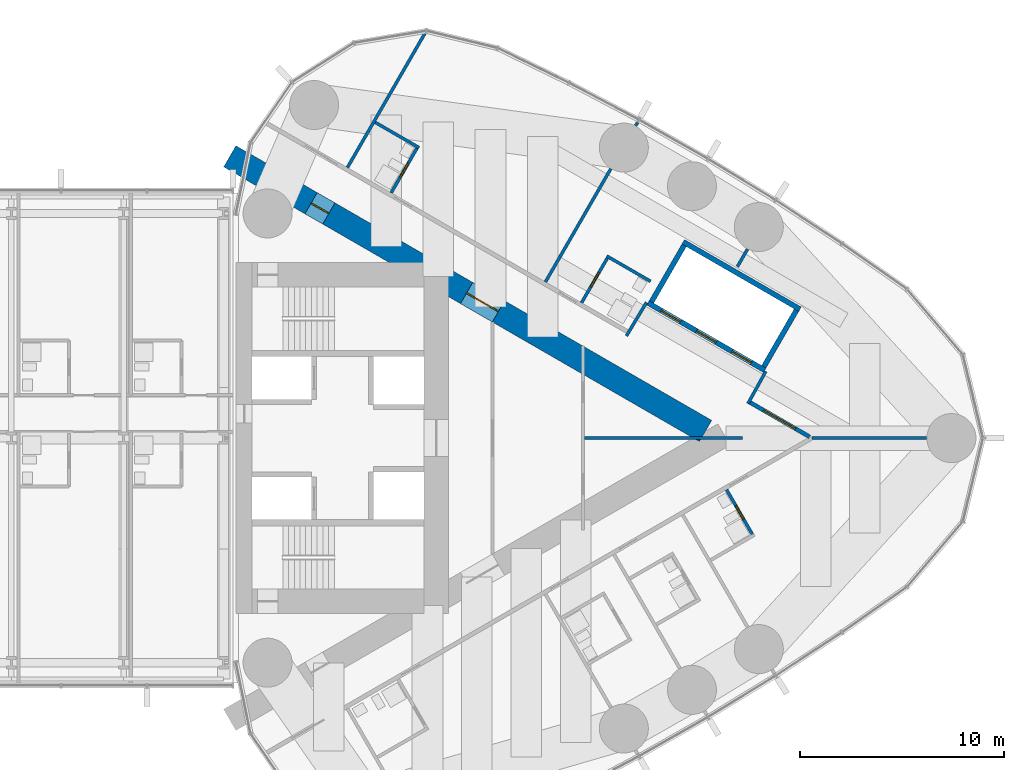
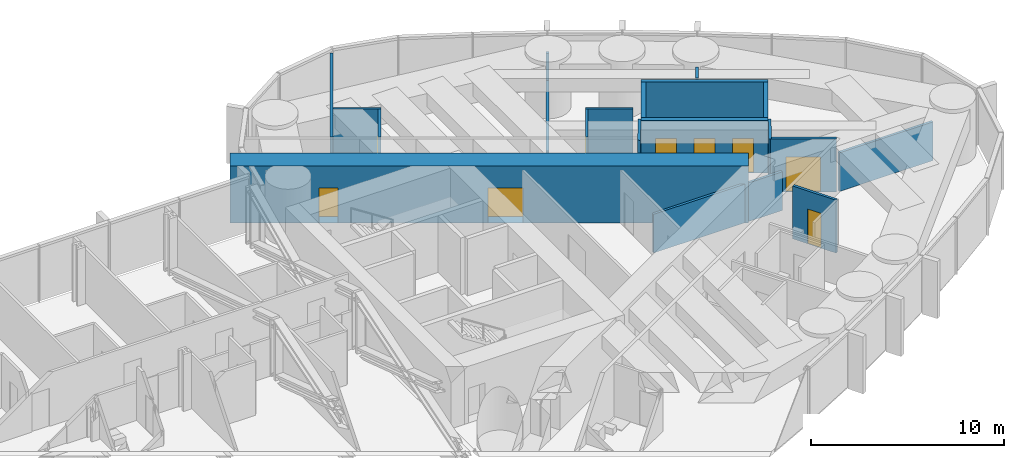
# One storey, part 20 of 23: 19 walls, 9 doors, 9 openings.
"""IFC4 building model written with IfcOpenShell, lengths in metres."""

from ifc_helpers import new_model, si_unit, direction, frame, frame_2d, origin, place, context, subcontext, project, spatial, rectangle, extrude, material, layer, layer_set, type_object, element, fill, save


model = new_model("IFC4")

# Units and contexts
model_context = context("Model", 3, precision=1e-05, world=origin(), true_north=direction((0.0, 1.0)))
body_context = subcontext(model_context, "Body", "Model", "MODEL_VIEW")
ifc_project = project(units=[si_unit("LENGTHUNIT", "METRE"), si_unit("AREAUNIT", "SQUARE_METRE"), si_unit("VOLUMEUNIT", "CUBIC_METRE"), si_unit("PLANEANGLEUNIT", "RADIAN"), si_unit("MASSUNIT", "GRAM", prefix="KILO")], contexts=[model_context])

# Site, building, storey
site_placement = place(None, origin())
site = spatial("IfcSite", under=ifc_project, at=site_placement, CompositionType="ELEMENT")
building_placement = place(site_placement, origin())
building = spatial("IfcBuilding", under=site, at=building_placement, Name="Lancet Gate Hotel", CompositionType="ELEMENT")
storey_placement = place(building_placement, frame((0.0, 0.0, 222.5)))
storey = spatial("IfcBuildingStorey", under=building, at=storey_placement, Name="L59", CompositionType="ELEMENT", Elevation=222.5)

# Wall, opening, door
ifc_material_1 = material(Name="Moisture resistant board partition")
ifc_layer_1 = layer(ifc_material_1, 0.14990234375)
ifc_layer_set_1 = layer_set([ifc_layer_1], Name="Bathroom wall 150")
wall_type_1 = type_object("IfcWallType", Name="Bathroom wall 150", PredefinedType="PARTITIONING", material=ifc_layer_set_1)
wall_1_placement = place(storey_placement, frame((51.528564453125, -2.525146484375, 0.0), z_axis=(0.0, 0.0, 1.0), x_axis=(0.500006934395, -0.866021400173, 0.0)))
wall_1 = element("IfcWall", 1, at=wall_1_placement, inside=storey, type_object=wall_type_1, Name="T2 bathroom wall 150 L59", PredefinedType="PARTITIONING", context=body_context, shape_type="SweptSolid", body=[
    extrude(rectangle(XDim=2.60009765625, YDim=0.14990234375, at=frame_2d((1.300048828125, 0.0))), origin(), (0.0, 0.0, 1.0), 3.35009765625),
])
opening_1_placement = place(wall_1_placement, frame((0.89990234375, 0.0, 0.0)))
opening_1 = element("IfcOpeningElement", 2, at=opening_1_placement, cuts=wall_1, Name="Opening 5955-B", PredefinedType="OPENING", context=body_context, shape_type="SweptSolid", body=[
    extrude(rectangle(XDim=0.800048828125, YDim=2.199951171875, at=frame_2d((0.39990234375, 1.10009765625))), frame((0.0, 0.0849609375, 0.0), z_axis=(0.0, -1.0, 0.0), x_axis=(1.0, 0.0, 0.0)), (0.0, 0.0, 1.0), 0.169921875),
])
ifc_material_2 = material(Name="Timber door set", Category="wood")
door_type_1 = type_object("IfcDoorType", Name="Bathroom door 800", OperationType="SINGLE_SWING_RIGHT", PredefinedType="DOOR", material=ifc_material_2)
door_1_placement = place(opening_1_placement, origin())
door_1 = element("IfcDoor", 3, at=door_1_placement, inside=storey, type_object=door_type_1, Name="5955-B", OperationType="SINGLE_SWING_RIGHT", OverallHeight=2.199951171875, OverallWidth=0.800048828125, PredefinedType="DOOR", context=body_context, shape_type="SweptSolid", body=[
    extrude(rectangle(XDim=0.800048828125, YDim=2.199951171875, at=frame_2d((0.39990234375, 1.10009765625))), frame((0.0, 0.02490234375, 0.0), z_axis=(0.0, -1.0, 0.0), x_axis=(1.0, 0.0, 0.0)), (0.0, 0.0, 1.0), 0.050048828125),
])
fill(opening_1, door_1)

# Wall
wall_2_placement = place(storey_placement, frame((45.662109375, 8.914306640625, 0.0), z_axis=(0.0, 0.0, 1.0), x_axis=(0.86604923931, -0.499958713387, 0.0)))
element("IfcWall", 4, at=wall_2_placement, inside=storey, type_object=wall_type_1, Name="T2 bathroom wall 150 L59", PredefinedType="PARTITIONING", context=body_context, shape_type="SweptSolid", body=[
    extrude(rectangle(XDim=2.474853515625, YDim=0.14990234375, at=frame_2d((1.2373046875, 0.0))), origin(), (0.0, 0.0, 1.0), 3.35009765625),
])

# Wall, opening, door
wall_3_placement = place(storey_placement, frame((44.427001953125, 6.625244140625, 0.0), z_axis=(0.0, 0.0, 1.0), x_axis=(0.500006934395, 0.866021400173, 0.0)))
wall_3 = element("IfcWall", 5, at=wall_3_placement, inside=storey, type_object=wall_type_1, Name="T2 bathroom wall 150 L59", PredefinedType="PARTITIONING", context=body_context, shape_type="SweptSolid", body=[
    extrude(rectangle(XDim=2.60009765625, YDim=0.14990234375, at=frame_2d((1.300048828125, 0.0))), origin(), (0.0, 0.0, 1.0), 3.35009765625),
])
opening_2_placement = place(wall_3_placement, frame((0.89990234375, 0.0, 0.0)))
opening_2 = element("IfcOpeningElement", 6, at=opening_2_placement, cuts=wall_3, Name="Opening 5958-B", PredefinedType="OPENING", context=body_context, shape_type="SweptSolid", body=[
    extrude(rectangle(XDim=0.800048828125, YDim=2.199951171875, at=frame_2d((0.39990234375, 1.10009765625))), frame((0.0, 0.0849609375, 0.0), z_axis=(0.0, -1.0, 0.0), x_axis=(1.0, 0.0, 0.0)), (0.0, 0.0, 1.0), 0.169921875),
])
door_2_placement = place(opening_2_placement, origin())
door_2 = element("IfcDoor", 7, at=door_2_placement, inside=storey, type_object=door_type_1, Name="5958-B", OperationType="SINGLE_SWING_RIGHT", OverallHeight=2.199951171875, OverallWidth=0.800048828125, PredefinedType="DOOR", context=body_context, shape_type="SweptSolid", body=[
    extrude(rectangle(XDim=0.800048828125, YDim=2.199951171875, at=frame_2d((0.39990234375, 1.10009765625))), frame((0.0, 0.02490234375, 0.0), z_axis=(0.0, -1.0, 0.0), x_axis=(1.0, 0.0, 0.0)), (0.0, 0.0, 1.0), 0.050048828125),
])
fill(opening_2, door_2)

# Wall
wall_4_placement = place(storey_placement, frame((34.324951171875, 15.4599609375, 0.0), z_axis=(0.0, 0.0, 1.0), x_axis=(0.866031185235, -0.4999899861, 0.0)))
element("IfcWall", 8, at=wall_4_placement, inside=storey, type_object=wall_type_1, Name="T2 bathroom wall 150 L59", PredefinedType="PARTITIONING", context=body_context, shape_type="SweptSolid", body=[
    extrude(rectangle(XDim=2.47509765625, YDim=0.14990234375, at=frame_2d((1.237548828125, 0.0))), origin(), (0.0, 0.0, 1.0), 3.35009765625),
])

# Wall, opening, door
wall_5_placement = place(storey_placement, frame((35.103515625, 12.00830078125, 0.0), z_axis=(0.0, 0.0, 1.0), x_axis=(0.500047596559, 0.865997922154, 0.0)))
wall_5 = element("IfcWall", 9, at=wall_5_placement, inside=storey, type_object=wall_type_1, Name="T2 bathroom wall 150 L59", PredefinedType="PARTITIONING", context=body_context, shape_type="SweptSolid", body=[
    extrude(rectangle(XDim=2.599853515625, YDim=0.14990234375, at=frame_2d((1.2998046875, 0.0))), origin(), (0.0, 0.0, 1.0), 3.35009765625),
])
opening_3_placement = place(wall_5_placement, frame((0.89990234375, 0.0, 0.0)))
opening_3 = element("IfcOpeningElement", 10, at=opening_3_placement, cuts=wall_5, Name="Opening 5959-B", PredefinedType="OPENING", context=body_context, shape_type="SweptSolid", body=[
    extrude(rectangle(XDim=0.800048828125, YDim=2.199951171875, at=frame_2d((0.39990234375, 1.10009765625))), frame((0.0, 0.0849609375, 0.0), z_axis=(0.0, -1.0, 0.0), x_axis=(1.0, 0.0, 0.0)), (0.0, 0.0, 1.0), 0.169921875),
])
door_3_placement = place(opening_3_placement, origin())
door_3 = element("IfcDoor", 11, at=door_3_placement, inside=storey, type_object=door_type_1, Name="5959-B", OperationType="SINGLE_SWING_RIGHT", OverallHeight=2.199951171875, OverallWidth=0.800048828125, PredefinedType="DOOR", context=body_context, shape_type="SweptSolid", body=[
    extrude(rectangle(XDim=0.800048828125, YDim=2.199951171875, at=frame_2d((0.39990234375, 1.10009765625))), frame((0.0, 0.02490234375, 0.0), z_axis=(0.0, -1.0, 0.0), x_axis=(1.0, 0.0, 0.0)), (0.0, 0.0, 1.0), 0.050048828125),
])
fill(opening_3, door_3)

# Wall, openings, doors
ifc_material_3 = material(Name="Concrete C70/85", Category="concrete")
ifc_layer_2 = layer(ifc_material_3, 1.199951171875)
ifc_layer_set_2 = layer_set([ifc_layer_2], Name="Buttress wall 1200")
wall_type_2 = type_object("IfcWallType", Name="Buttress wall 1200", PredefinedType="SHEAR", material=ifc_layer_set_2)
wall_6_placement = place(storey_placement, frame((27.199951171875, 13.800048828125, 0.0), z_axis=(0.0, 0.0, 1.0), x_axis=(0.866024515034, -0.500001539357, 0.0)))
wall_6 = element("IfcWall", 12, at=wall_6_placement, inside=storey, type_object=wall_type_2, Name="T2 buttress wall N L59", PredefinedType="SHEAR", context=body_context, shape_type="SweptSolid", body=[
    extrude(rectangle(XDim=26.9072265625, YDim=1.199951171875, at=frame_2d((13.45361328125, 0.0))), origin(), (0.0, 0.0, 1.0), 3.60009765625),
])
opening_4_placement = place(wall_6_placement, frame((4.60009765625, 0.0, 0.0)))
opening_4 = element("IfcOpeningElement", 13, at=opening_4_placement, cuts=wall_6, Name="Opening T2-L59-LN", PredefinedType="OPENING", context=body_context, shape_type="SweptSolid", body=[
    extrude(rectangle(XDim=1.0, YDim=2.199951171875, at=frame_2d((0.5, 1.10009765625))), frame((0.0, 0.60986328125, 0.0), z_axis=(0.0, -1.0, 0.0), x_axis=(1.0, 0.0, 0.0)), (0.0, 0.0, 1.0), 1.219970703125),
])
opening_5_placement = place(wall_6_placement, frame((13.39453125, 0.0, 0.0)))
opening_5 = element("IfcOpeningElement", 14, at=opening_5_placement, cuts=wall_6, Name="Opening T2-L59-LHN", PredefinedType="OPENING", context=body_context, shape_type="SweptSolid", body=[
    extrude(rectangle(XDim=1.800048828125, YDim=2.199951171875, at=frame_2d((0.89990234375, 1.10009765625))), frame((0.0, 0.60986328125, 0.0), z_axis=(0.0, -1.0, 0.0), x_axis=(1.0, 0.0, 0.0)), (0.0, 0.0, 1.0), 1.219970703125),
])
ifc_material_4 = material(Name="Timber door set", Category="wood")
door_type_2 = type_object("IfcDoorType", Name="Lobby double door 1800", OperationType="DOUBLE_DOOR_SINGLE_SWING", PredefinedType="DOOR", material=ifc_material_4)
door_4_placement = place(opening_5_placement, origin())
door_4 = element("IfcDoor", 15, at=door_4_placement, inside=storey, type_object=door_type_2, Name="T2-L59-LHN", OperationType="DOUBLE_DOOR_SINGLE_SWING", OverallHeight=2.199951171875, OverallWidth=1.800048828125, PredefinedType="DOOR", context=body_context, shape_type="SweptSolid", body=[
    extrude(rectangle(XDim=1.800048828125, YDim=2.199951171875, at=frame_2d((0.89990234375, 1.10009765625))), frame((0.0, 0.02490234375, 0.0), z_axis=(0.0, -1.0, 0.0), x_axis=(1.0, 0.0, 0.0)), (0.0, 0.0, 1.0), 0.050048828125),
])
fill(opening_5, door_4)
ifc_material_5 = material(Name="Timber door set", Category="wood")
door_type_3 = type_object("IfcDoorType", Name="Stair lobby door 1000", OperationType="SINGLE_SWING_LEFT", PredefinedType="DOOR", material=ifc_material_5)
door_5_placement = place(opening_4_placement, origin())
door_5 = element("IfcDoor", 16, at=door_5_placement, inside=storey, type_object=door_type_3, Name="T2-L59-LN", OperationType="SINGLE_SWING_LEFT", OverallHeight=2.199951171875, OverallWidth=1.0, PredefinedType="DOOR", context=body_context, shape_type="SweptSolid", body=[
    extrude(rectangle(XDim=1.0, YDim=2.199951171875, at=frame_2d((0.5, 1.10009765625))), frame((0.0, 0.02490234375, 0.0), z_axis=(0.0, -1.0, 0.0), x_axis=(1.0, 0.0, 0.0)), (0.0, 0.0, 1.0), 0.050048828125),
])
fill(opening_4, door_5)

# Wall, opening, door
ifc_material_6 = material(Name="Gypsum board partition")
ifc_layer_3 = layer(ifc_material_6, 0.199951171875)
ifc_layer_set_3 = layer_set([ifc_layer_3], Name="Corridor wall 200")
wall_type_3 = type_object("IfcWallType", Name="Corridor wall 200", PredefinedType="PARTITIONING", material=ifc_layer_set_3)
wall_7_placement = place(storey_placement, frame((52.63916015625, 1.7685546875, 0.0), z_axis=(0.0, 0.0, 1.0), x_axis=(0.866027340901, -0.4999966448, 0.0)))
wall_7 = element("IfcWall", 17, at=wall_7_placement, inside=storey, type_object=wall_type_3, Name="T2 corridor wall 200 L59", PredefinedType="PARTITIONING", context=body_context, shape_type="SweptSolid", body=[
    extrude(rectangle(XDim=3.4169921875, YDim=0.199951171875, at=frame_2d((1.70849609375, 0.0))), origin(), (0.0, 0.0, 1.0), 3.35009765625),
])
opening_6_placement = place(wall_7_placement, frame((0.80859375, 0.0, 0.0)))
opening_6 = element("IfcOpeningElement", 18, at=opening_6_placement, cuts=wall_7, Name="Opening T2-L59-LO1", PredefinedType="OPENING", context=body_context, shape_type="SweptSolid", body=[
    extrude(rectangle(XDim=1.800048828125, YDim=2.199951171875, at=frame_2d((0.89990234375, 1.10009765625))), frame((0.0, 0.10986328125, 0.0), z_axis=(0.0, -1.0, 0.0), x_axis=(1.0, 0.0, 0.0)), (0.0, 0.0, 1.0), 0.219970703125),
])
ifc_material_7 = material(Name="Timber door set", Category="wood")
door_type_4 = type_object("IfcDoorType", Name="Double door 1800", OperationType="DOUBLE_DOOR_SINGLE_SWING", PredefinedType="DOOR", material=ifc_material_7)
door_6_placement = place(opening_6_placement, origin())
door_6 = element("IfcDoor", 19, at=door_6_placement, inside=storey, type_object=door_type_4, Name="T2-L59-LO1", OperationType="DOUBLE_DOOR_SINGLE_SWING", OverallHeight=2.199951171875, OverallWidth=1.800048828125, PredefinedType="DOOR", context=body_context, shape_type="SweptSolid", body=[
    extrude(rectangle(XDim=1.800048828125, YDim=2.199951171875, at=frame_2d((0.89990234375, 1.10009765625))), frame((0.0, 0.02490234375, 0.0), z_axis=(0.0, -1.0, 0.0), x_axis=(1.0, 0.0, 0.0)), (0.0, 0.0, 1.0), 0.050048828125),
])
fill(opening_6, door_6)

# Wall, openings, doors
ifc_material_8 = material(Name="Gypsum board partition")
ifc_layer_4 = layer(ifc_material_8, 0.25)
ifc_layer_set_4 = layer_set([ifc_layer_4], Name="Lift shaft partition 250")
wall_type_4 = type_object("IfcWallType", Name="Lift shaft partition 250", PredefinedType="PARTITIONING", material=ifc_layer_set_4)
wall_8_placement = place(storey_placement, frame((47.681396484375, 6.622314453125, 0.0), z_axis=(0.0, 0.0, 1.0), x_axis=(0.86603344179, -0.499986077507, 0.0)))
wall_8 = element("IfcWall", 20, at=wall_8_placement, inside=storey, type_object=wall_type_4, Name="T2 lift shaft wall HL L59", PredefinedType="PARTITIONING", context=body_context, shape_type="SweptSolid", body=[
    extrude(rectangle(XDim=6.600341796875, YDim=0.25, at=frame_2d((3.30029296875, 0.0))), origin(), (0.0, 0.0, 1.0), 3.35009765625),
])
opening_7_placement = place(wall_8_placement, frame((0.75, 0.0, 0.0)))
opening_7 = element("IfcOpeningElement", 21, at=opening_7_placement, cuts=wall_8, Name="Opening T2-HL1-L59", PredefinedType="OPENING", context=body_context, shape_type="SweptSolid", body=[
    extrude(rectangle(XDim=1.10009765625, YDim=2.199951171875, at=frame_2d((0.550048828125, 1.10009765625))), frame((0.0, 0.135009765625, 0.0), z_axis=(0.0, -1.0, 0.0), x_axis=(1.0, 0.0, 0.0)), (0.0, 0.0, 1.0), 0.27001953125),
])
opening_8_placement = place(wall_8_placement, frame((2.75, 0.0, 0.0)))
opening_8 = element("IfcOpeningElement", 22, at=opening_8_placement, cuts=wall_8, Name="Opening T2-HL2-L59", PredefinedType="OPENING", context=body_context, shape_type="SweptSolid", body=[
    extrude(rectangle(XDim=1.10009765625, YDim=2.199951171875, at=frame_2d((0.550048828125, 1.10009765625))), frame((0.0, 0.135009765625, 0.0), z_axis=(0.0, -1.0, 0.0), x_axis=(1.0, 0.0, 0.0)), (0.0, 0.0, 1.0), 0.27001953125),
])
opening_9_placement = place(wall_8_placement, frame((4.75, 0.0, 0.0)))
opening_9 = element("IfcOpeningElement", 23, at=opening_9_placement, cuts=wall_8, Name="Opening T2-HL3-L59", PredefinedType="OPENING", context=body_context, shape_type="SweptSolid", body=[
    extrude(rectangle(XDim=1.10009765625, YDim=2.199951171875, at=frame_2d((0.550048828125, 1.10009765625))), frame((0.0, 0.135009765625, 0.0), z_axis=(0.0, -1.0, 0.0), x_axis=(1.0, 0.0, 0.0)), (0.0, 0.0, 1.0), 0.27001953125),
])
ifc_material_9 = material(Name="Steel door set", Category="steel")
door_type_5 = type_object("IfcDoorType", Name="Lift landing door 1100", OperationType="DOUBLE_DOOR_SLIDING", PredefinedType="USERDEFINED", material=ifc_material_9)
door_7_placement = place(opening_7_placement, origin())
door_7 = element("IfcDoor", 24, at=door_7_placement, inside=storey, type_object=door_type_5, Name="T2-HL1-L59", ObjectType="LIFT LANDING DOOR", OperationType="DOUBLE_DOOR_SLIDING", OverallHeight=2.199951171875, OverallWidth=1.10009765625, PredefinedType="USERDEFINED", context=body_context, shape_type="SweptSolid", body=[
    extrude(rectangle(XDim=1.10009765625, YDim=2.199951171875, at=frame_2d((0.550048828125, 1.10009765625))), frame((0.0, 0.02490234375, 0.0), z_axis=(0.0, -1.0, 0.0), x_axis=(1.0, 0.0, 0.0)), (0.0, 0.0, 1.0), 0.050048828125),
])
fill(opening_7, door_7)
door_8_placement = place(opening_8_placement, origin())
door_8 = element("IfcDoor", 25, at=door_8_placement, inside=storey, type_object=door_type_5, Name="T2-HL2-L59", ObjectType="LIFT LANDING DOOR", OperationType="DOUBLE_DOOR_SLIDING", OverallHeight=2.199951171875, OverallWidth=1.10009765625, PredefinedType="USERDEFINED", context=body_context, shape_type="SweptSolid", body=[
    extrude(rectangle(XDim=1.10009765625, YDim=2.199951171875, at=frame_2d((0.550048828125, 1.10009765625))), frame((0.0, 0.02490234375, 0.0), z_axis=(0.0, -1.0, 0.0), x_axis=(1.0, 0.0, 0.0)), (0.0, 0.0, 1.0), 0.050048828125),
])
fill(opening_8, door_8)
door_9_placement = place(opening_9_placement, origin())
door_9 = element("IfcDoor", 26, at=door_9_placement, inside=storey, type_object=door_type_5, Name="T2-HL3-L59", ObjectType="LIFT LANDING DOOR", OperationType="DOUBLE_DOOR_SLIDING", OverallHeight=2.199951171875, OverallWidth=1.10009765625, PredefinedType="USERDEFINED", context=body_context, shape_type="SweptSolid", body=[
    extrude(rectangle(XDim=1.10009765625, YDim=2.199951171875, at=frame_2d((0.550048828125, 1.10009765625))), frame((0.0, 0.02490234375, 0.0), z_axis=(0.0, -1.0, 0.0), x_axis=(1.0, 0.0, 0.0)), (0.0, 0.0, 1.0), 0.050048828125),
])
fill(opening_9, door_9)

# Walls
wall_9_placement = place(storey_placement, frame((49.406494140625, 9.61083984375, 0.0), z_axis=(0.0, 0.0, 1.0), x_axis=(0.86603344179, -0.499986077507, 0.0)))
element("IfcWall", 27, at=wall_9_placement, inside=storey, type_object=wall_type_4, Name="T2 lift shaft wall HL L59", PredefinedType="PARTITIONING", context=body_context, shape_type="SweptSolid", body=[
    extrude(rectangle(XDim=6.600341796875, YDim=0.25, at=frame_2d((3.30029296875, 0.0))), origin(), (0.0, 0.0, 1.0), 3.35009765625),
])
wall_10_placement = place(storey_placement, frame((47.852294921875, 6.66796875, 0.0), z_axis=(0.0, 0.0, 1.0), x_axis=(0.499929347863, 0.866066190972, 0.0)))
element("IfcWall", 28, at=wall_10_placement, inside=storey, type_object=wall_type_4, Name="T2 lift shaft wall HL L59", PredefinedType="PARTITIONING", context=body_context, shape_type="SweptSolid", body=[
    extrude(rectangle(XDim=3.20068359375, YDim=0.25, at=frame_2d((1.600341796875, 0.0))), origin(), (0.0, 0.0, 1.0), 3.35009765625),
])
wall_11_placement = place(storey_placement, frame((53.351806640625, 3.492919921875, 0.0), z_axis=(0.0, 0.0, 1.0), x_axis=(0.499872130319, 0.866099216793, 0.0)))
element("IfcWall", 29, at=wall_11_placement, inside=storey, type_object=wall_type_4, Name="T2 lift shaft wall HL L59", PredefinedType="PARTITIONING", context=body_context, shape_type="SweptSolid", body=[
    extrude(rectangle(XDim=3.200439453125, YDim=0.25, at=frame_2d((1.60009765625, 0.0))), origin(), (0.0, 0.0, 1.0), 3.35009765625),
])
ifc_material_10 = material(Name="Gypsum board partition")
ifc_layer_5 = layer(ifc_material_10, 0.14990234375)
ifc_layer_set_5 = layer_set([ifc_layer_5], Name="Party wall 150")
wall_type_5 = type_object("IfcWallType", Name="Party wall 150", PredefinedType="PARTITIONING", material=ifc_layer_set_5)
wall_12_placement = place(storey_placement, frame((32.9599609375, 13.24560546875, 0.0), z_axis=(0.0, 0.0, 1.0), x_axis=(0.500000236886, 0.866025267018, 0.0)))
element("IfcWall", 30, at=wall_12_placement, inside=storey, type_object=wall_type_5, Name="T2 party wall 150 L59", PredefinedType="PARTITIONING", context=body_context, shape_type="SweptSolid", body=[
    extrude(rectangle(XDim=7.58251953125, YDim=0.14990234375, at=frame_2d((3.791259765625, 0.0))), origin(), (0.0, 0.0, 1.0), 3.35009765625),
])
wall_13_placement = place(storey_placement, frame((42.65966796875, 7.6455078125, 0.0), z_axis=(0.0, 0.0, 1.0), x_axis=(0.499996592859, 0.866027370889, 0.0)))
element("IfcWall", 31, at=wall_13_placement, inside=storey, type_object=wall_type_5, Name="T2 party wall 150 L59", PredefinedType="PARTITIONING", context=body_context, shape_type="SweptSolid", body=[
    extrude(rectangle(XDim=6.3984375, YDim=0.14990234375, at=frame_2d((3.19921875, 0.0))), origin(), (0.0, 0.0, 1.0), 2.449951171875),
])
wall_14_placement = place(storey_placement, frame((47.078857421875, 15.2998046875, 0.0), z_axis=(0.0, 0.0, 1.0), x_axis=(0.499212083968, 0.866479829667, 0.0)))
element("IfcWall", 32, at=wall_14_placement, inside=storey, type_object=wall_type_5, Name="T2 party wall 150 L59", PredefinedType="PARTITIONING", context=body_context, shape_type="SweptSolid", body=[
    extrude(rectangle(XDim=0.179443359375, YDim=0.14990234375, at=frame_2d((0.08984375, 0.0))), origin(), (0.0, 0.0, 1.0), 2.449951171875),
])
wall_15_placement = place(storey_placement, frame((55.7021484375, 0.0, 0.0), z_axis=(0.0, 0.0, 1.0), x_axis=(1.0, 0.0, 0.0)))
element("IfcWall", 33, at=wall_15_placement, inside=storey, type_object=wall_type_5, Name="T2 party wall 150 L59", PredefinedType="PARTITIONING", context=body_context, shape_type="SweptSolid", body=[
    extrude(rectangle(XDim=5.619384765625, YDim=0.14990234375, at=frame_2d((2.8095703125, 0.0))), origin(), (0.0, 0.0, 1.0), 2.449951171875),
])
wall_16_placement = place(storey_placement, frame((52.060302734375, 8.396240234375, 0.0), z_axis=(0.0, 0.0, 1.0), x_axis=(0.500095379624, 0.865970329329, 0.0)))
element("IfcWall", 34, at=wall_16_placement, inside=storey, type_object=wall_type_5, Name="T2 party wall 150 L59", PredefinedType="PARTITIONING", context=body_context, shape_type="SweptSolid", body=[
    extrude(rectangle(XDim=0.982177734375, YDim=0.14990234375, at=frame_2d((0.4912109375, 0.0))), origin(), (0.0, 0.0, 1.0), 3.35009765625),
])
ifc_material_11 = material(Name="Gypsum board partition")
ifc_layer_6 = layer(ifc_material_11, 0.14990234375)
ifc_layer_set_6 = layer_set([ifc_layer_6], Name="Service room wall 150")
wall_type_6 = type_object("IfcWallType", Name="Service room wall 150", PredefinedType="PARTITIONING", material=ifc_layer_set_6)
wall_17_placement = place(storey_placement, frame((47.6064453125, 6.642333984375, 0.0), z_axis=(0.0, 0.0, 1.0), x_axis=(-0.51353662755, -0.858067673418, 0.0)))
element("IfcWall", 35, at=wall_17_placement, inside=storey, type_object=wall_type_6, Name="T2 service room wall 150 L59", PredefinedType="PARTITIONING", context=body_context, shape_type="SweptSolid", body=[
    extrude(rectangle(XDim=1.90966796875, YDim=0.14990234375, at=frame_2d((0.954833984375, 0.0))), origin(), (0.0, 0.0, 1.0), 3.35009765625),
])
wall_18_placement = place(storey_placement, frame((52.576171875, 1.689453125, 0.0), z_axis=(0.0, 0.0, 1.0), x_axis=(0.485424724123, 0.874278466629, 0.0)))
element("IfcWall", 36, at=wall_18_placement, inside=storey, type_object=wall_type_6, Name="T2 service room wall 150 L59", PredefinedType="PARTITIONING", context=body_context, shape_type="SweptSolid", body=[
    extrude(rectangle(XDim=1.80517578125, YDim=0.14990234375, at=frame_2d((0.902587890625, 0.0))), origin(), (0.0, 0.0, 1.0), 3.35009765625),
])
wall_19_placement = place(storey_placement, frame((44.574951171875, 0.0, 0.0), z_axis=(0.0, 0.0, 1.0), x_axis=(1.0, 0.0, 0.0)))
element("IfcWall", 37, at=wall_19_placement, inside=storey, type_object=wall_type_6, Name="T2 service room wall 150 L59", PredefinedType="PARTITIONING", context=body_context, shape_type="SweptSolid", body=[
    extrude(rectangle(XDim=7.727294921875, YDim=0.14990234375, at=frame_2d((3.86376953125, 0.0))), origin(), (0.0, 0.0, 1.0), 2.449951171875),
])

save(model, "model.ifc")
